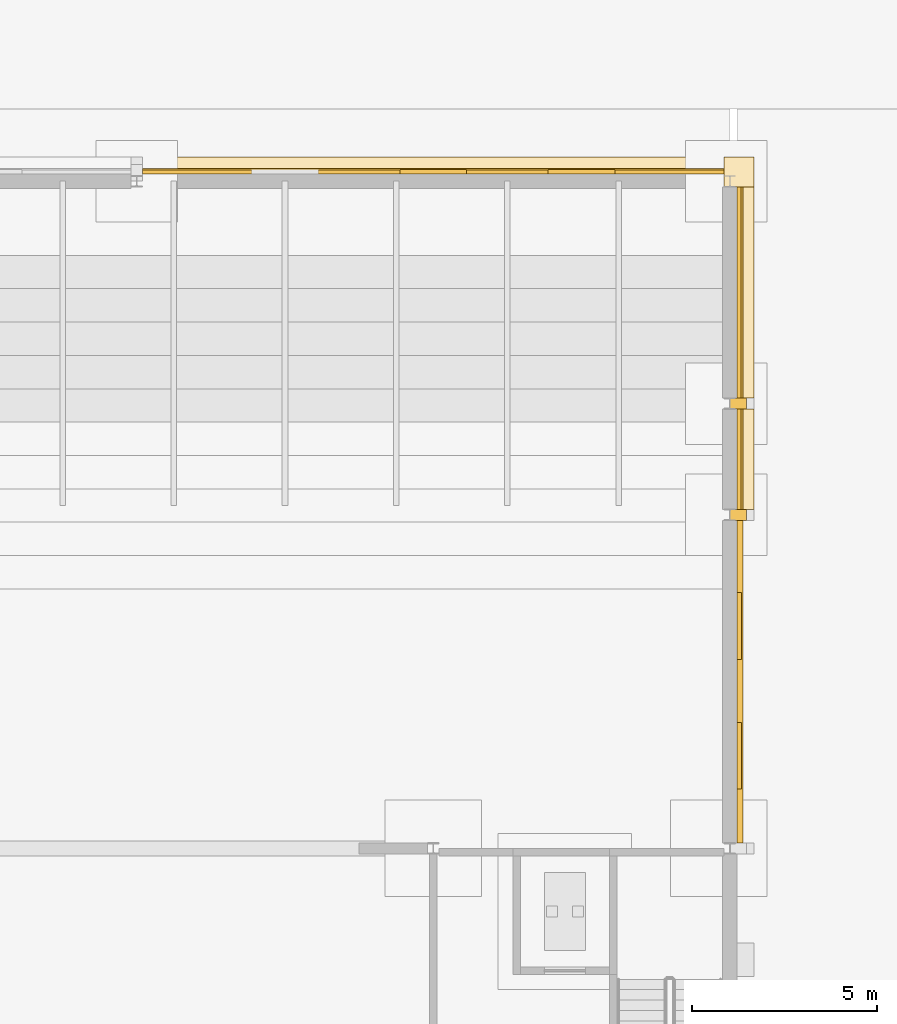
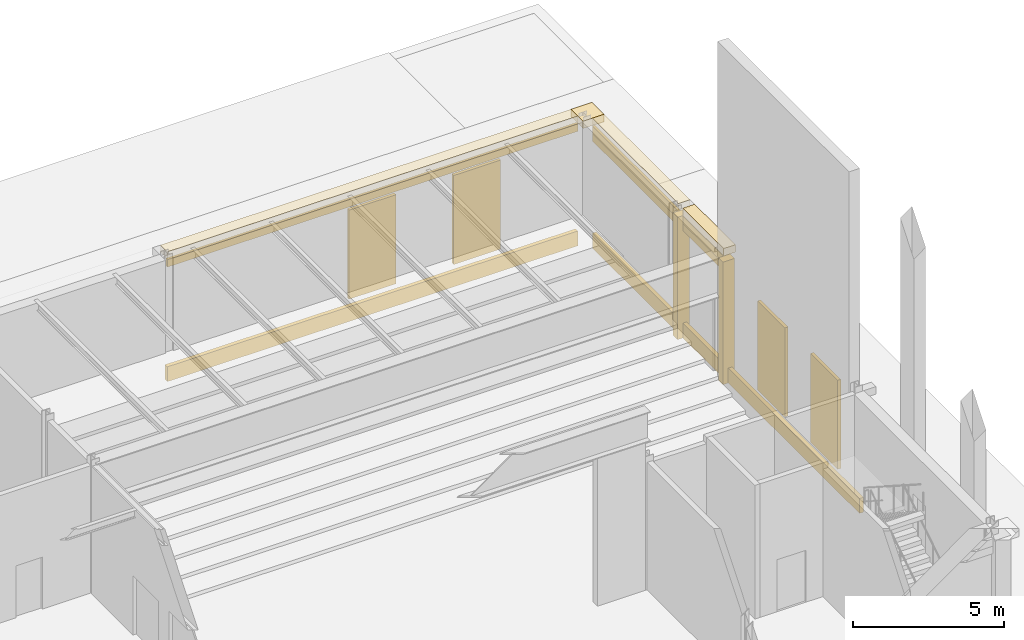
# One storey, part 120 of 126: 19 coverings.
"""IFC4 building model written with IfcOpenShell, lengths in metres."""

from ifc_helpers import new_model, si_unit, direction, frame, origin, origin_2d, place, context, subcontext, project, spatial, rectangle, extrude, material, layer, layer_set, type_object, element, save


model = new_model("IFC4")

# Units and contexts
model_context = context("Model", 3, precision=1e-05, world=origin(), true_north=direction((0.0, 1.0)))
body_context = subcontext(model_context, "Body", "Model", "MODEL_VIEW")
ifc_project = project(units=[si_unit("LENGTHUNIT", "METRE"), si_unit("AREAUNIT", "SQUARE_METRE"), si_unit("VOLUMEUNIT", "CUBIC_METRE"), si_unit("PLANEANGLEUNIT", "RADIAN"), si_unit("MASSUNIT", "GRAM", prefix="KILO")], contexts=[model_context])

# Site, building, storey
site_placement = place(None, origin())
site = spatial("IfcSite", under=ifc_project, at=site_placement, CompositionType="ELEMENT")
building_placement = place(site_placement, origin())
building = spatial("IfcBuilding", under=site, at=building_placement, Name="Kallimachos Central Library", CompositionType="ELEMENT")
storey_placement = place(building_placement, origin())
storey = spatial("IfcBuildingStorey", under=building, at=storey_placement, Name="L00", CompositionType="ELEMENT", Elevation=0.0)

# Coverings
ifc_material_1 = material(Name="Pentelic marble cladding", Category="masonry")
ifc_layer_1 = layer(ifc_material_1, 0.1201171875)
ifc_layer_set_1 = layer_set([ifc_layer_1], Name="Blind arcade relief panel")
covering_type_1 = type_object("IfcCoveringType", Name="Blind arcade relief panel", PredefinedType="CLADDING", material=ifc_layer_set_1)
for number, where, z_axis, x_axis, name in (
    (1, (162.0, 114.260009765625, 0.89990234375), (0.0, 0.0, 1.0), (1.0, 0.0, 0.0), "Blind arcade relief panel"),
    (2, (166.0, 114.260009765625, 0.89990234375), (0.0, 0.0, 1.0), (1.0, 0.0, 0.0), "Blind arcade relief panel"),
):
    element("IfcCovering", number, at=place(storey_placement, frame(where, z_axis=z_axis, x_axis=x_axis)), inside=storey, type_object=covering_type_1, Name=name, PredefinedType="CLADDING", context=body_context, shape_type="SweptSolid", body=[
        extrude(rectangle(XDim=1.800048828125, YDim=0.1201171875, at=origin_2d()), origin(), (0.0, 0.0, 1.0), 3.60009765625),
    ])
for number, where, z_axis, x_axis, name in (
    (3, (170.260009765625, 98.5, 0.89990234375), (0.0, 0.0, 1.0), (1.0, 0.0, 0.0), "Blind arcade relief panel"),
    (4, (170.260009765625, 102.0, 0.89990234375), (0.0, 0.0, 1.0), (1.0, 0.0, 0.0), "Blind arcade relief panel"),
):
    element("IfcCovering", number, at=place(storey_placement, frame(where, z_axis=z_axis, x_axis=x_axis)), inside=storey, type_object=covering_type_1, Name=name, PredefinedType="CLADDING", context=body_context, shape_type="SweptSolid", body=[
        extrude(rectangle(XDim=0.1201171875, YDim=1.800048828125, at=origin_2d()), origin(), (0.0, 0.0, 1.0), 3.60009765625),
    ])
ifc_material_2 = material(Name="Glazed ceramic frieze, green")
ifc_layer_2 = layer(ifc_material_2, 0.10009765625)
ifc_layer_set_2 = layer_set([ifc_layer_2], Name="Glazed ceramic frieze, green")
covering_type_2 = type_object("IfcCoveringType", Name="Glazed ceramic frieze, green", PredefinedType="CLADDING", material=ifc_layer_set_2)
covering_1_placement = place(storey_placement, frame((170.25, 106.5, 4.6298828125), z_axis=(0.0, 0.0, 1.0), x_axis=(1.0, 0.0, 0.0)))
element("IfcCovering", 5, at=covering_1_placement, inside=storey, type_object=covering_type_2, Name="Glazed ceramic frieze, green -L00-005", PredefinedType="CLADDING", context=body_context, shape_type="SweptSolid", body=[
    extrude(rectangle(XDim=0.10009765625, YDim=2.699951171875, at=origin_2d()), origin(), (0.0, 0.0, 1.0), 0.300048828125),
])
covering_2_placement = place(storey_placement, frame((170.25, 111.0, 4.6298828125), z_axis=(0.0, 0.0, 1.0), x_axis=(1.0, 0.0, 0.0)))
element("IfcCovering", 6, at=covering_2_placement, inside=storey, type_object=covering_type_2, Name="Glazed ceramic frieze, green -L00-006", PredefinedType="CLADDING", context=body_context, shape_type="SweptSolid", body=[
    extrude(rectangle(XDim=0.10009765625, YDim=5.699951171875, at=origin_2d()), origin(), (0.0, 0.0, 1.0), 0.300048828125),
])
covering_3_placement = place(storey_placement, frame((162.0, 114.25, 4.6298828125), z_axis=(0.0, 0.0, 1.0), x_axis=(1.0, 0.0, 0.0)))
element("IfcCovering", 7, at=covering_3_placement, inside=storey, type_object=covering_type_2, Name="Glazed ceramic frieze, green -L00-013", PredefinedType="CLADDING", context=body_context, shape_type="SweptSolid", body=[
    extrude(rectangle(XDim=15.699951171875, YDim=0.10009765625, at=origin_2d()), origin(), (0.0, 0.0, 1.0), 0.300048828125),
])
ifc_material_3 = material(Name="Glazed ceramic frieze, ochre")
ifc_layer_3 = layer(ifc_material_3, 0.10009765625)
ifc_layer_set_3 = layer_set([ifc_layer_3], Name="Glazed ceramic frieze, ochre")
covering_type_3 = type_object("IfcCoveringType", Name="Glazed ceramic frieze, ochre", PredefinedType="CLADDING", material=ifc_layer_set_3)
covering_4_placement = place(storey_placement, frame((170.25, 106.5, 4.330078125), z_axis=(0.0, 0.0, 1.0), x_axis=(1.0, 0.0, 0.0)))
element("IfcCovering", 8, at=covering_4_placement, inside=storey, type_object=covering_type_3, Name="Glazed ceramic frieze, ochre -L00-005", PredefinedType="CLADDING", context=body_context, shape_type="SweptSolid", body=[
    extrude(rectangle(XDim=0.10009765625, YDim=2.699951171875, at=origin_2d()), origin(), (0.0, 0.0, 1.0), 0.300048828125),
])
covering_5_placement = place(storey_placement, frame((170.25, 111.0, 4.330078125), z_axis=(0.0, 0.0, 1.0), x_axis=(1.0, 0.0, 0.0)))
element("IfcCovering", 9, at=covering_5_placement, inside=storey, type_object=covering_type_3, Name="Glazed ceramic frieze, ochre -L00-006", PredefinedType="CLADDING", context=body_context, shape_type="SweptSolid", body=[
    extrude(rectangle(XDim=0.10009765625, YDim=5.699951171875, at=origin_2d()), origin(), (0.0, 0.0, 1.0), 0.300048828125),
])
ifc_material_4 = material(Name="Pentelic marble cornice", Category="masonry")
ifc_layer_4 = layer(ifc_material_4, 0.449951171875)
ifc_layer_set_4 = layer_set([ifc_layer_4], Name="Stone cornice 450")
covering_type_4 = type_object("IfcCoveringType", Name="Stone cornice 450", PredefinedType="MOLDING", material=ifc_layer_set_4)
covering_6_placement = place(storey_placement, frame((170.425048828125, 106.5, 4.9501953125), z_axis=(0.0, 0.0, 1.0), x_axis=(1.0, 0.0, 0.0)))
element("IfcCovering", 10, at=covering_6_placement, inside=storey, type_object=covering_type_4, Name="Stone cornice 450 -L00-005", PredefinedType="MOLDING", context=body_context, shape_type="SweptSolid", body=[
    extrude(rectangle(XDim=0.449951171875, YDim=2.699951171875, at=origin_2d()), origin(), (0.0, 0.0, 1.0), 0.300048828125),
])
covering_7_placement = place(storey_placement, frame((170.425048828125, 111.0, 4.9501953125), z_axis=(0.0, 0.0, 1.0), x_axis=(1.0, 0.0, 0.0)))
element("IfcCovering", 11, at=covering_7_placement, inside=storey, type_object=covering_type_4, Name="Stone cornice 450 -L00-006", PredefinedType="MOLDING", context=body_context, shape_type="SweptSolid", body=[
    extrude(rectangle(XDim=0.449951171875, YDim=5.699951171875, at=origin_2d()), origin(), (0.0, 0.0, 1.0), 0.300048828125),
])
covering_8_placement = place(storey_placement, frame((162.0, 114.425048828125, 4.9501953125), z_axis=(0.0, 0.0, 1.0), x_axis=(1.0, 0.0, 0.0)))
element("IfcCovering", 12, at=covering_8_placement, inside=storey, type_object=covering_type_4, Name="Stone cornice 450 -L00-013", PredefinedType="MOLDING", context=body_context, shape_type="SweptSolid", body=[
    extrude(rectangle(XDim=15.699951171875, YDim=0.449951171875, at=origin_2d()), origin(), (0.0, 0.0, 1.0), 0.300048828125),
])
covering_9_placement = place(storey_placement, frame((170.25, 114.25, 4.9501953125), z_axis=(0.0, 0.0, 1.0), x_axis=(1.0, 0.0, 0.0)))
element("IfcCovering", 13, at=covering_9_placement, inside=storey, type_object=covering_type_4, Name="Stone cornice 450 corner", PredefinedType="MOLDING", context=body_context, shape_type="SweptSolid", body=[
    extrude(rectangle(XDim=0.800048828125, YDim=0.800048828125, at=origin_2d()), origin(), (0.0, 0.0, 1.0), 0.300048828125),
])
ifc_material_5 = material(Name="Pentelic marble pilaster", Category="masonry")
ifc_layer_5 = layer(ifc_material_5, 0.25)
ifc_layer_set_5 = layer_set([ifc_layer_5], Name="Stone pilaster 250")
covering_type_5 = type_object("IfcCoveringType", Name="Stone pilaster 250", PredefinedType="CLADDING", material=ifc_layer_set_5)
for number, where, z_axis, x_axis, name in (
    (14, (170.22509765625, 105.0, 0.0), (0.0, 0.0, 1.0), (1.0, 0.0, 0.0), "Stone pilaster 250 -L00-004"),
    (15, (170.22509765625, 108.0, 0.0), (0.0, 0.0, 1.0), (1.0, 0.0, 0.0), "Stone pilaster 250 -L00-005"),
):
    element("IfcCovering", number, at=place(storey_placement, frame(where, z_axis=z_axis, x_axis=x_axis)), inside=storey, type_object=covering_type_5, Name=name, PredefinedType="CLADDING", context=body_context, shape_type="SweptSolid", body=[
        extrude(rectangle(XDim=0.449951171875, YDim=0.300048828125, at=origin_2d()), origin(), (0.0, 0.0, 1.0), 4.949951171875),
    ])
ifc_material_6 = material(Name="Pentelic marble plinth course", Category="masonry")
ifc_layer_6 = layer(ifc_material_6, 0.14990234375)
ifc_layer_set_6 = layer_set([ifc_layer_6], Name="Stone plinth course 600")
covering_type_6 = type_object("IfcCoveringType", Name="Stone plinth course 600", PredefinedType="CLADDING", material=ifc_layer_set_6)
covering_10_placement = place(storey_placement, frame((170.27490234375, 100.5, 0.0), z_axis=(0.0, 0.0, 1.0), x_axis=(1.0, 0.0, 0.0)))
element("IfcCovering", 16, at=covering_10_placement, inside=storey, type_object=covering_type_6, Name="Stone plinth course 600 -L00-004", PredefinedType="CLADDING", context=body_context, shape_type="SweptSolid", body=[
    extrude(rectangle(XDim=0.14990234375, YDim=8.699951171875, at=origin_2d()), origin(), (0.0, 0.0, 1.0), 0.60009765625),
])
covering_11_placement = place(storey_placement, frame((170.27490234375, 106.5, 0.0), z_axis=(0.0, 0.0, 1.0), x_axis=(1.0, 0.0, 0.0)))
element("IfcCovering", 17, at=covering_11_placement, inside=storey, type_object=covering_type_6, Name="Stone plinth course 600 -L00-005", PredefinedType="CLADDING", context=body_context, shape_type="SweptSolid", body=[
    extrude(rectangle(XDim=0.14990234375, YDim=2.699951171875, at=origin_2d()), origin(), (0.0, 0.0, 1.0), 0.60009765625),
])
covering_12_placement = place(storey_placement, frame((170.27490234375, 111.0, 0.0), z_axis=(0.0, 0.0, 1.0), x_axis=(1.0, 0.0, 0.0)))
element("IfcCovering", 18, at=covering_12_placement, inside=storey, type_object=covering_type_6, Name="Stone plinth course 600 -L00-006", PredefinedType="CLADDING", context=body_context, shape_type="SweptSolid", body=[
    extrude(rectangle(XDim=0.14990234375, YDim=5.699951171875, at=origin_2d()), origin(), (0.0, 0.0, 1.0), 0.60009765625),
])
covering_13_placement = place(storey_placement, frame((162.0, 114.27490234375, 0.0), z_axis=(0.0, 0.0, 1.0), x_axis=(1.0, 0.0, 0.0)))
element("IfcCovering", 19, at=covering_13_placement, inside=storey, type_object=covering_type_6, Name="Stone plinth course 600 -L00-013", PredefinedType="CLADDING", context=body_context, shape_type="SweptSolid", body=[
    extrude(rectangle(XDim=15.699951171875, YDim=0.14990234375, at=origin_2d()), origin(), (0.0, 0.0, 1.0), 0.60009765625),
])

save(model, "model.ifc")
